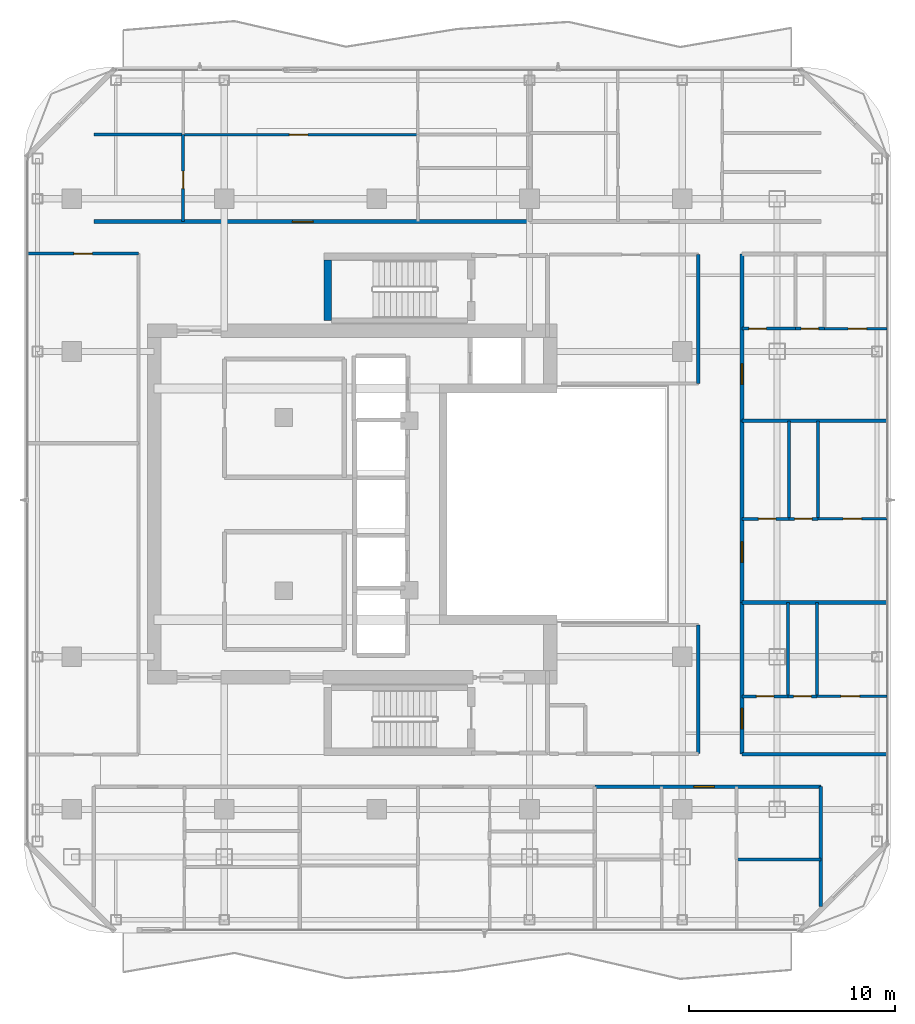
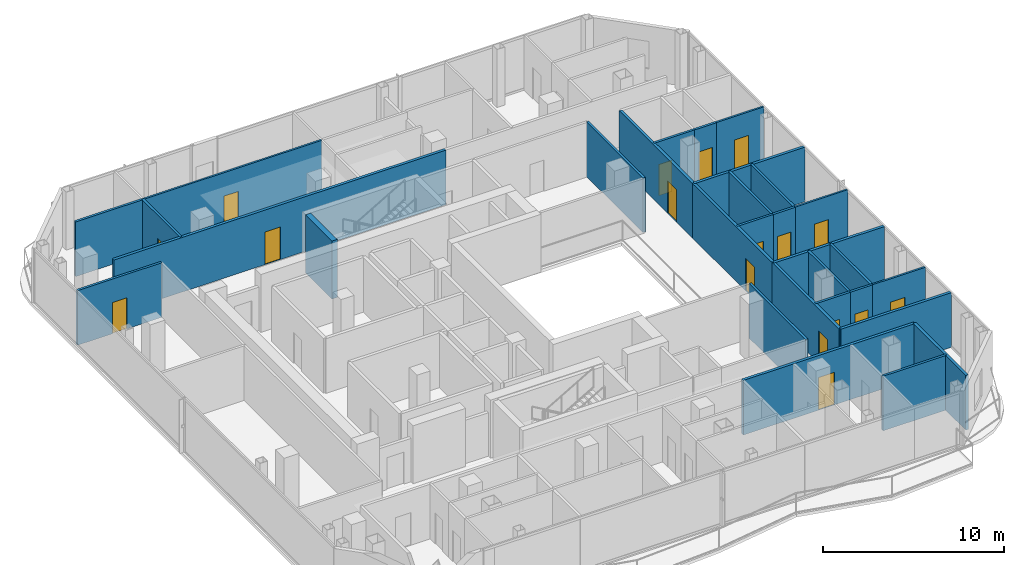
# One storey, part 19 of 26: 30 walls, 17 doors, 17 openings.
"""IFC4 building model written with IfcOpenShell, lengths in metres."""

from ifc_helpers import new_model, si_unit, direction, frame, frame_2d, origin, place, context, subcontext, project, spatial, rectangle, extrude, material, layer, layer_set, type_object, element, fill, save


model = new_model("IFC4")

# Units and contexts
model_context = context("Model", 3, precision=1e-05, world=origin(), true_north=direction((0.0, 1.0)))
body_context = subcontext(model_context, "Body", "Model", "MODEL_VIEW")
ifc_project = project(units=[si_unit("LENGTHUNIT", "METRE"), si_unit("AREAUNIT", "SQUARE_METRE"), si_unit("VOLUMEUNIT", "CUBIC_METRE"), si_unit("PLANEANGLEUNIT", "RADIAN"), si_unit("MASSUNIT", "GRAM", prefix="KILO")], contexts=[model_context])

# Site, building, storey
site_placement = place(None, origin())
site = spatial("IfcSite", under=ifc_project, at=site_placement, CompositionType="ELEMENT")
building_placement = place(site_placement, origin())
building = spatial("IfcBuilding", under=site, at=building_placement, Name="Khorvyn Point Tower", CompositionType="ELEMENT")
storey_placement = place(building_placement, frame((0.0, 0.0, 262.5)))
storey = spatial("IfcBuildingStorey", under=building, at=storey_placement, Name="L64", CompositionType="ELEMENT", Elevation=262.5)

# Wall, opening, door
ifc_material_1 = material(Name="Double acoustic gypsum on twin steel stud", Category="steel")
ifc_layer_1 = layer(ifc_material_1, 0.179931640625)
ifc_layer_set_1 = layer_set([ifc_layer_1], Name="Acoustic Double-Stud Apartment Demising Wall 180")
wall_type_1 = type_object("IfcWallType", Name="Acoustic Double-Stud Apartment Demising Wall 180", PredefinedType="PARTITIONING", material=ifc_layer_set_1)
wall_1_placement = place(storey_placement, frame((-13.719970703125, 13.699951171875, 0.0), z_axis=(0.0, 0.0, 1.0), x_axis=(1.0, 0.0, 0.0)))
wall_1 = element("IfcWall", 1, at=wall_1_placement, inside=storey, type_object=wall_type_1, Name="Wall", PredefinedType="PARTITIONING", context=body_context, shape_type="SweptSolid", body=[
    extrude(rectangle(XDim=21.14404296875, YDim=0.179931640625, at=frame_2d((10.572021484375, 0.0))), origin(), (0.0, 0.0, 1.0), 3.679931640625),
])
opening_1_placement = place(wall_1_placement, frame((9.62548828125, 0.0, 0.0)))
opening_1 = element("IfcOpeningElement", 2, at=opening_1_placement, cuts=wall_1, Name="Opening ID-AP60", PredefinedType="OPENING", context=body_context, shape_type="SweptSolid", body=[
    extrude(rectangle(XDim=1.0, YDim=2.199951171875, at=frame_2d((0.5, 1.10009765625))), frame((0.0, 0.099853515625, 0.0), z_axis=(0.0, -1.0, 0.0), x_axis=(1.0, 0.0, 0.0)), (0.0, 0.0, 1.0), 0.199951171875),
])
ifc_material_2 = material(Name="Engineered hardwood fire-rated leaf", Category="wood")
door_type_1 = type_object("IfcDoorType", Name="Acoustic Solid-Core Timber Apartment Entrance Door 1000x2200", OperationType="NOTDEFINED", PredefinedType="DOOR", material=ifc_material_2)
door_1_placement = place(opening_1_placement, origin())
door_1 = element("IfcDoor", 3, at=door_1_placement, inside=storey, type_object=door_type_1, Name="Door", OperationType="SINGLE_SWING_LEFT", OverallHeight=2.199951171875, OverallWidth=1.0, PredefinedType="DOOR", context=body_context, shape_type="SweptSolid", body=[
    extrude(rectangle(XDim=1.0, YDim=2.199951171875, at=frame_2d((0.5, 1.10009765625))), frame((0.0, 0.02490234375, 0.0), z_axis=(0.0, -1.0, 0.0), x_axis=(1.0, 0.0, 0.0)), (0.0, 0.0, 1.0), 0.050048828125),
])
fill(opening_1, door_1)

wall_2_placement = place(storey_placement, frame((10.56591796875, -13.699951171875, 0.0), z_axis=(0.0, 0.0, 1.0), x_axis=(1.0, 0.0, 0.0)))
wall_2 = element("IfcWall", 4, at=wall_2_placement, inside=storey, type_object=wall_type_1, Name="Wall", PredefinedType="PARTITIONING", context=body_context, shape_type="SweptSolid", body=[
    extrude(rectangle(XDim=10.9541015625, YDim=0.179931640625, at=frame_2d((5.47705078125, 0.0))), origin(), (0.0, 0.0, 1.0), 3.679931640625),
])
opening_2_placement = place(wall_2_placement, frame((4.798583984375, 0.0, 0.0)))
opening_2 = element("IfcOpeningElement", 5, at=opening_2_placement, cuts=wall_2, Name="Opening ID-AP60", PredefinedType="OPENING", context=body_context, shape_type="SweptSolid", body=[
    extrude(rectangle(XDim=1.0, YDim=2.199951171875, at=frame_2d((0.5, 1.10009765625))), frame((0.0, 0.099853515625, 0.0), z_axis=(0.0, -1.0, 0.0), x_axis=(1.0, 0.0, 0.0)), (0.0, 0.0, 1.0), 0.199951171875),
])
door_2_placement = place(opening_2_placement, origin())
door_2 = element("IfcDoor", 6, at=door_2_placement, inside=storey, type_object=door_type_1, Name="Door", OperationType="SINGLE_SWING_RIGHT", OverallHeight=2.199951171875, OverallWidth=1.0, PredefinedType="DOOR", context=body_context, shape_type="SweptSolid", body=[
    extrude(rectangle(XDim=1.0, YDim=2.199951171875, at=frame_2d((0.5, 1.10009765625))), frame((0.0, 0.02490234375, 0.0), z_axis=(0.0, -1.0, 0.0), x_axis=(1.0, 0.0, 0.0)), (0.0, 0.0, 1.0), 0.050048828125),
])
fill(opening_2, door_2)

wall_3_placement = place(storey_placement, frame((17.699951171875, -12.1201171875, 0.0), z_axis=(0.0, 0.0, 1.0), x_axis=(0.0, 1.0, 0.0)))
wall_3 = element("IfcWall", 7, at=wall_3_placement, inside=storey, type_object=wall_type_1, Name="Wall", PredefinedType="PARTITIONING", context=body_context, shape_type="SweptSolid", body=[
    extrude(rectangle(XDim=7.35302734375, YDim=0.179931640625, at=frame_2d((3.676513671875, 0.0))), origin(), (0.0, 0.0, 1.0), 3.679931640625),
])
opening_3_placement = place(wall_3_placement, frame((1.224609375, 0.0, 0.0)))
opening_3 = element("IfcOpeningElement", 8, at=opening_3_placement, cuts=wall_3, Name="Opening ID-AP60", PredefinedType="OPENING", context=body_context, shape_type="SweptSolid", body=[
    extrude(rectangle(XDim=1.0, YDim=2.199951171875, at=frame_2d((0.5, 1.10009765625))), frame((0.0, 0.099853515625, 0.0), z_axis=(0.0, -1.0, 0.0), x_axis=(1.0, 0.0, 0.0)), (0.0, 0.0, 1.0), 0.199951171875),
])
door_3_placement = place(opening_3_placement, origin())
door_3 = element("IfcDoor", 9, at=door_3_placement, inside=storey, type_object=door_type_1, Name="Door", OperationType="SINGLE_SWING_LEFT", OverallHeight=2.199951171875, OverallWidth=1.0, PredefinedType="DOOR", context=body_context, shape_type="SweptSolid", body=[
    extrude(rectangle(XDim=1.0, YDim=2.199951171875, at=frame_2d((0.5, 1.10009765625))), frame((0.0, 0.02490234375, 0.0), z_axis=(0.0, -1.0, 0.0), x_axis=(1.0, 0.0, 0.0)), (0.0, 0.0, 1.0), 0.050048828125),
])
fill(opening_3, door_3)

wall_4_placement = place(storey_placement, frame((17.699951171875, -4.76708984375, 0.0), z_axis=(0.0, 0.0, 1.0), x_axis=(0.0, 1.0, 0.0)))
wall_4 = element("IfcWall", 10, at=wall_4_placement, inside=storey, type_object=wall_type_1, Name="Wall", PredefinedType="PARTITIONING", context=body_context, shape_type="SweptSolid", body=[
    extrude(rectangle(XDim=8.80712890625, YDim=0.179931640625, at=frame_2d((4.403564453125, 0.0))), origin(), (0.0, 0.0, 1.0), 3.679931640625),
])
opening_4_placement = place(wall_4_placement, frame((1.942626953125, 0.0, 0.0)))
opening_4 = element("IfcOpeningElement", 11, at=opening_4_placement, cuts=wall_4, Name="Opening ID-AP60", PredefinedType="OPENING", context=body_context, shape_type="SweptSolid", body=[
    extrude(rectangle(XDim=1.0, YDim=2.199951171875, at=frame_2d((0.5, 1.10009765625))), frame((0.0, 0.099853515625, 0.0), z_axis=(0.0, -1.0, 0.0), x_axis=(1.0, 0.0, 0.0)), (0.0, 0.0, 1.0), 0.199951171875),
])
door_4_placement = place(opening_4_placement, origin())
door_4 = element("IfcDoor", 12, at=door_4_placement, inside=storey, type_object=door_type_1, Name="Door", OperationType="SINGLE_SWING_LEFT", OverallHeight=2.199951171875, OverallWidth=1.0, PredefinedType="DOOR", context=body_context, shape_type="SweptSolid", body=[
    extrude(rectangle(XDim=1.0, YDim=2.199951171875, at=frame_2d((0.5, 1.10009765625))), frame((0.0, 0.02490234375, 0.0), z_axis=(0.0, -1.0, 0.0), x_axis=(1.0, 0.0, 0.0)), (0.0, 0.0, 1.0), 0.050048828125),
])
fill(opening_4, door_4)

wall_5_placement = place(storey_placement, frame((17.699951171875, 4.0400390625, 0.0), z_axis=(0.0, 0.0, 1.0), x_axis=(0.0, 1.0, 0.0)))
wall_5 = element("IfcWall", 13, at=wall_5_placement, inside=storey, type_object=wall_type_1, Name="Wall", PredefinedType="PARTITIONING", context=body_context, shape_type="SweptSolid", body=[
    extrude(rectangle(XDim=8.080078125, YDim=0.179931640625, at=frame_2d((4.0400390625, 0.0))), origin(), (0.0, 0.0, 1.0), 3.679931640625),
])
opening_5_placement = place(wall_5_placement, frame((1.760986328125, 0.0, 0.0)))
opening_5 = element("IfcOpeningElement", 14, at=opening_5_placement, cuts=wall_5, Name="Opening ID-AP60", PredefinedType="OPENING", context=body_context, shape_type="SweptSolid", body=[
    extrude(rectangle(XDim=1.0, YDim=2.199951171875, at=frame_2d((0.5, 1.10009765625))), frame((0.0, 0.099853515625, 0.0), z_axis=(0.0, -1.0, 0.0), x_axis=(1.0, 0.0, 0.0)), (0.0, 0.0, 1.0), 0.199951171875),
])
door_5_placement = place(opening_5_placement, origin())
door_5 = element("IfcDoor", 15, at=door_5_placement, inside=storey, type_object=door_type_1, Name="Door", OperationType="SINGLE_SWING_LEFT", OverallHeight=2.199951171875, OverallWidth=1.0, PredefinedType="DOOR", context=body_context, shape_type="SweptSolid", body=[
    extrude(rectangle(XDim=1.0, YDim=2.199951171875, at=frame_2d((0.5, 1.10009765625))), frame((0.0, 0.02490234375, 0.0), z_axis=(0.0, -1.0, 0.0), x_axis=(1.0, 0.0, 0.0)), (0.0, 0.0, 1.0), 0.050048828125),
])
fill(opening_5, door_5)

# Walls
wall_6_placement = place(storey_placement, frame((21.52001953125, -19.510009765625, 0.0), z_axis=(0.0, 0.0, 1.0), x_axis=(0.0, 1.0, 0.0)))
element("IfcWall", 16, at=wall_6_placement, inside=storey, type_object=wall_type_1, Name="Wall", PredefinedType="PARTITIONING", context=body_context, shape_type="SweptSolid", body=[
    extrude(rectangle(XDim=5.81005859375, YDim=0.179931640625, at=frame_2d((2.905029296875, 0.0))), origin(), (0.0, 0.0, 1.0), 3.679931640625),
])
for number, where, z_axis, x_axis, name in (
    (17, (17.699951171875, -4.76708984375, 0.0), (0.0, 0.0, 1.0), (1.0, 0.0, 0.0), "Wall"),
    (18, (17.699951171875, 4.0400390625, 0.0), (0.0, 0.0, 1.0), (1.0, 0.0, 0.0), "Wall"),
    (19, (17.699951171875, -12.1201171875, 0.0), (0.0, 0.0, 1.0), (1.0, 0.0, 0.0), "Wall"),
):
    element("IfcWall", number, at=place(storey_placement, frame(where, z_axis=z_axis, x_axis=x_axis)), inside=storey, type_object=wall_type_1, Name=name, PredefinedType="PARTITIONING", context=body_context, shape_type="SweptSolid", body=[
        extrude(rectangle(XDim=7.030029296875, YDim=0.179931640625, at=frame_2d((3.51513671875, 0.0))), origin(), (0.0, 0.0, 1.0), 3.679931640625),
    ])
ifc_material_3 = material(Name="Concrete C40/50", Category="concrete")
ifc_layer_2 = layer(ifc_material_3, 0.35009765625)
ifc_layer_set_2 = layer_set([ifc_layer_2], Name="Concrete C40/50 Stair Shaft Structural Wall 350")
wall_type_2 = type_object("IfcWallType", Name="Concrete C40/50 Stair Shaft Structural Wall 350", PredefinedType="SHEAR", material=ifc_layer_set_2)
wall_7_placement = place(storey_placement, frame((-2.3798828125, 8.89990234375, 0.0), z_axis=(0.0, 0.0, 1.0), x_axis=(0.0, 1.0, 0.0)))
element("IfcWall", 20, at=wall_7_placement, inside=storey, type_object=wall_type_2, Name="L64 ST-02 West Shaft Wall", PredefinedType="SHEAR", context=body_context, shape_type="SweptSolid", body=[
    extrude(rectangle(XDim=2.925048828125, YDim=0.35009765625, at=frame_2d((1.46240234375, 0.0))), origin(), (0.0, 0.0, 1.0), 3.89990234375),
])

# Wall, opening, door
ifc_material_4 = material(Name="Gypsum plasterboard on steel stud", Category="steel")
ifc_layer_3 = layer(ifc_material_4, 0.1201171875)
ifc_layer_set_3 = layer_set([ifc_layer_3], Name="Gypsum Acoustic Stud Room Partition Wall 120")
wall_type_3 = type_object("IfcWallType", Name="Gypsum Acoustic Stud Room Partition Wall 120", PredefinedType="PARTITIONING", material=ifc_layer_set_3)
wall_8_placement = place(storey_placement, frame((-9.39501953125, 17.9130859375, 0.0), z_axis=(0.0, 0.0, 1.0), x_axis=(1.0, 0.0, 0.0)))
wall_8 = element("IfcWall", 21, at=wall_8_placement, inside=storey, type_object=wall_type_3, Name="Wall", PredefinedType="PARTITIONING", context=body_context, shape_type="SweptSolid", body=[
    extrude(rectangle(XDim=11.381103515625, YDim=0.1201171875, at=frame_2d((5.6904296875, 0.0))), origin(), (0.0, 0.0, 1.0), 3.679931640625),
])
opening_6_placement = place(wall_8_placement, frame((5.1513671875, 0.0, 0.0)))
opening_6 = element("IfcOpeningElement", 22, at=opening_6_placement, cuts=wall_8, Name="Opening ID-RM90", PredefinedType="OPENING", context=body_context, shape_type="SweptSolid", body=[
    extrude(rectangle(XDim=0.89990234375, YDim=2.10009765625, at=frame_2d((0.449951171875, 1.050048828125))), frame((0.0, 0.070068359375, 0.0), z_axis=(0.0, -1.0, 0.0), x_axis=(1.0, 0.0, 0.0)), (0.0, 0.0, 1.0), 0.14013671875),
])
ifc_material_5 = material(Name="Engineered oak veneer timber", Category="wood")
door_type_2 = type_object("IfcDoorType", Name="Flush Engineered Timber Room Door 900x2100", OperationType="NOTDEFINED", PredefinedType="DOOR", material=ifc_material_5)
door_6_placement = place(opening_6_placement, origin())
door_6 = element("IfcDoor", 23, at=door_6_placement, inside=storey, type_object=door_type_2, Name="Door", OperationType="SINGLE_SWING_RIGHT", OverallHeight=2.10009765625, OverallWidth=0.89990234375, PredefinedType="DOOR", context=body_context, shape_type="SweptSolid", body=[
    extrude(rectangle(XDim=0.89990234375, YDim=2.10009765625, at=frame_2d((0.449951171875, 1.050048828125))), frame((0.0, 0.02490234375, 0.0), z_axis=(0.0, -1.0, 0.0), x_axis=(1.0, 0.0, 0.0)), (0.0, 0.0, 1.0), 0.050048828125),
])
fill(opening_6, door_6)

wall_9_placement = place(storey_placement, frame((21.3330078125, -9.320068359375, 0.0), z_axis=(0.0, 0.0, 1.0), x_axis=(1.0, 0.0, 0.0)))
wall_9 = element("IfcWall", 24, at=wall_9_placement, inside=storey, type_object=wall_type_3, Name="Wall", PredefinedType="PARTITIONING", context=body_context, shape_type="SweptSolid", body=[
    extrude(rectangle(XDim=3.39697265625, YDim=0.1201171875, at=frame_2d((1.698486328125, 0.0))), origin(), (0.0, 0.0, 1.0), 3.679931640625),
])
opening_7_placement = place(wall_9_placement, frame((1.164794921875, 0.0, 0.0)))
opening_7 = element("IfcOpeningElement", 25, at=opening_7_placement, cuts=wall_9, Name="Opening ID-RM90", PredefinedType="OPENING", context=body_context, shape_type="SweptSolid", body=[
    extrude(rectangle(XDim=0.89990234375, YDim=2.10009765625, at=frame_2d((0.449951171875, 1.050048828125))), frame((0.0, 0.070068359375, 0.0), z_axis=(0.0, -1.0, 0.0), x_axis=(1.0, 0.0, 0.0)), (0.0, 0.0, 1.0), 0.14013671875),
])
door_7_placement = place(opening_7_placement, origin())
door_7 = element("IfcDoor", 26, at=door_7_placement, inside=storey, type_object=door_type_2, Name="Door", OperationType="SINGLE_SWING_RIGHT", OverallHeight=2.10009765625, OverallWidth=0.89990234375, PredefinedType="DOOR", context=body_context, shape_type="SweptSolid", body=[
    extrude(rectangle(XDim=0.89990234375, YDim=2.10009765625, at=frame_2d((0.449951171875, 1.050048828125))), frame((0.0, 0.02490234375, 0.0), z_axis=(0.0, -1.0, 0.0), x_axis=(1.0, 0.0, 0.0)), (0.0, 0.0, 1.0), 0.050048828125),
])
fill(opening_7, door_7)

wall_10_placement = place(storey_placement, frame((21.376953125, -0.716064453125, 0.0), z_axis=(0.0, 0.0, 1.0), x_axis=(1.0, 0.0, 0.0)))
wall_10 = element("IfcWall", 27, at=wall_10_placement, inside=storey, type_object=wall_type_3, Name="Wall", PredefinedType="PARTITIONING", context=body_context, shape_type="SweptSolid", body=[
    extrude(rectangle(XDim=3.35302734375, YDim=0.1201171875, at=frame_2d((1.676513671875, 0.0))), origin(), (0.0, 0.0, 1.0), 3.679931640625),
])
opening_8_placement = place(wall_10_placement, frame((1.2265625, 0.0, 0.0)))
opening_8 = element("IfcOpeningElement", 28, at=opening_8_placement, cuts=wall_10, Name="Opening ID-RM90", PredefinedType="OPENING", context=body_context, shape_type="SweptSolid", body=[
    extrude(rectangle(XDim=0.89990234375, YDim=2.10009765625, at=frame_2d((0.449951171875, 1.050048828125))), frame((0.0, 0.070068359375, 0.0), z_axis=(0.0, -1.0, 0.0), x_axis=(1.0, 0.0, 0.0)), (0.0, 0.0, 1.0), 0.14013671875),
])
door_8_placement = place(opening_8_placement, origin())
door_8 = element("IfcDoor", 29, at=door_8_placement, inside=storey, type_object=door_type_2, Name="Door", OperationType="SINGLE_SWING_RIGHT", OverallHeight=2.10009765625, OverallWidth=0.89990234375, PredefinedType="DOOR", context=body_context, shape_type="SweptSolid", body=[
    extrude(rectangle(XDim=0.89990234375, YDim=2.10009765625, at=frame_2d((0.449951171875, 1.050048828125))), frame((0.0, 0.02490234375, 0.0), z_axis=(0.0, -1.0, 0.0), x_axis=(1.0, 0.0, 0.0)), (0.0, 0.0, 1.0), 0.050048828125),
])
fill(opening_8, door_8)

wall_11_placement = place(storey_placement, frame((21.68994140625, 8.5048828125, 0.0), z_axis=(0.0, 0.0, 1.0), x_axis=(1.0, 0.0, 0.0)))
wall_11 = element("IfcWall", 30, at=wall_11_placement, inside=storey, type_object=wall_type_3, Name="Wall", PredefinedType="PARTITIONING", context=body_context, shape_type="SweptSolid", body=[
    extrude(rectangle(XDim=3.0400390625, YDim=0.1201171875, at=frame_2d((1.52001953125, 0.0))), origin(), (0.0, 0.0, 1.0), 3.679931640625),
])
opening_9_placement = place(wall_11_placement, frame((1.152587890625, 0.0, 0.0)))
opening_9 = element("IfcOpeningElement", 31, at=opening_9_placement, cuts=wall_11, Name="Opening ID-RM90", PredefinedType="OPENING", context=body_context, shape_type="SweptSolid", body=[
    extrude(rectangle(XDim=0.89990234375, YDim=2.10009765625, at=frame_2d((0.449951171875, 1.050048828125))), frame((0.0, 0.070068359375, 0.0), z_axis=(0.0, -1.0, 0.0), x_axis=(1.0, 0.0, 0.0)), (0.0, 0.0, 1.0), 0.14013671875),
])
door_9_placement = place(opening_9_placement, origin())
door_9 = element("IfcDoor", 32, at=door_9_placement, inside=storey, type_object=door_type_2, Name="Door", OperationType="SINGLE_SWING_RIGHT", OverallHeight=2.10009765625, OverallWidth=0.89990234375, PredefinedType="DOOR", context=body_context, shape_type="SweptSolid", body=[
    extrude(rectangle(XDim=0.89990234375, YDim=2.10009765625, at=frame_2d((0.449951171875, 1.050048828125))), frame((0.0, 0.02490234375, 0.0), z_axis=(0.0, -1.0, 0.0), x_axis=(1.0, 0.0, 0.0)), (0.0, 0.0, 1.0), 0.050048828125),
])
fill(opening_9, door_9)

ifc_material_6 = material(Name="Moisture-resistant gypsum and cement board", Category="gypsum")
ifc_layer_4 = layer(ifc_material_6, 0.14990234375)
ifc_layer_set_4 = layer_set([ifc_layer_4], Name="Moisture-Resistant Wet-Room Partition Wall 150")
wall_type_4 = type_object("IfcWallType", Name="Moisture-Resistant Wet-Room Partition Wall 150", PredefinedType="PARTITIONING", material=ifc_layer_set_4)
wall_12_placement = place(storey_placement, frame((-9.39501953125, 13.699951171875, 0.0), z_axis=(0.0, 0.0, 1.0), x_axis=(0.0, 1.0, 0.0)))
wall_12 = element("IfcWall", 33, at=wall_12_placement, inside=storey, type_object=wall_type_4, Name="Wall", PredefinedType="PARTITIONING", context=body_context, shape_type="SweptSolid", body=[
    extrude(rectangle(XDim=4.213134765625, YDim=0.14990234375, at=frame_2d((2.1064453125, 0.0))), origin(), (0.0, 0.0, 1.0), 3.679931640625),
])
opening_10_placement = place(wall_12_placement, frame((1.592041015625, 0.0, 0.0)))
opening_10 = element("IfcOpeningElement", 34, at=opening_10_placement, cuts=wall_12, Name="Opening ID-WC85", PredefinedType="OPENING", context=body_context, shape_type="SweptSolid", body=[
    extrude(rectangle(XDim=0.85009765625, YDim=2.10009765625, at=frame_2d((0.425048828125, 1.050048828125))), frame((0.0, 0.0849609375, 0.0), z_axis=(0.0, -1.0, 0.0), x_axis=(1.0, 0.0, 0.0)), (0.0, 0.0, 1.0), 0.169921875),
])
ifc_material_7 = material(Name="High-pressure laminate on moisture-resistant core", Category="wood")
door_type_3 = type_object("IfcDoorType", Name="Moisture-Resistant Accessible Washroom Door 850x2100", OperationType="NOTDEFINED", PredefinedType="DOOR", material=ifc_material_7)
door_10_placement = place(opening_10_placement, origin())
door_10 = element("IfcDoor", 35, at=door_10_placement, inside=storey, type_object=door_type_3, Name="Door", OperationType="SINGLE_SWING_LEFT", OverallHeight=2.10009765625, OverallWidth=0.85009765625, PredefinedType="DOOR", context=body_context, shape_type="SweptSolid", body=[
    extrude(rectangle(XDim=0.85009765625, YDim=2.10009765625, at=frame_2d((0.425048828125, 1.050048828125))), frame((0.0, 0.02490234375, 0.0), z_axis=(0.0, -1.0, 0.0), x_axis=(1.0, 0.0, 0.0)), (0.0, 0.0, 1.0), 0.050048828125),
])
fill(opening_10, door_10)

wall_13_placement = place(storey_placement, frame((-16.929931640625, 12.139892578125, 0.0), z_axis=(0.0, 0.0, 1.0), x_axis=(1.0, 0.0, 0.0)))
wall_13 = element("IfcWall", 36, at=wall_13_placement, inside=storey, type_object=wall_type_4, Name="Wall", PredefinedType="PARTITIONING", context=body_context, shape_type="SweptSolid", body=[
    extrude(rectangle(XDim=5.3798828125, YDim=0.14990234375, at=frame_2d((2.68994140625, 0.0))), origin(), (0.0, 0.0, 1.0), 3.679931640625),
])
opening_11_placement = place(wall_13_placement, frame((2.239990234375, 0.0, 0.0)))
opening_11 = element("IfcOpeningElement", 37, at=opening_11_placement, cuts=wall_13, Name="Opening ID-RM90", PredefinedType="OPENING", context=body_context, shape_type="SweptSolid", body=[
    extrude(rectangle(XDim=0.89990234375, YDim=2.10009765625, at=frame_2d((0.449951171875, 1.050048828125))), frame((0.0, 0.0849609375, 0.0), z_axis=(0.0, -1.0, 0.0), x_axis=(1.0, 0.0, 0.0)), (0.0, 0.0, 1.0), 0.169921875),
])
door_11_placement = place(opening_11_placement, origin())
door_11 = element("IfcDoor", 38, at=door_11_placement, inside=storey, type_object=door_type_2, Name="Door", OperationType="SINGLE_SWING_RIGHT", OverallHeight=2.10009765625, OverallWidth=0.89990234375, PredefinedType="DOOR", context=body_context, shape_type="SweptSolid", body=[
    extrude(rectangle(XDim=0.89990234375, YDim=2.10009765625, at=frame_2d((0.449951171875, 1.050048828125))), frame((0.0, 0.02490234375, 0.0), z_axis=(0.0, -1.0, 0.0), x_axis=(1.0, 0.0, 0.0)), (0.0, 0.0, 1.0), 0.050048828125),
])
fill(opening_11, door_11)

wall_14_placement = place(storey_placement, frame((17.699951171875, -9.320068359375, 0.0), z_axis=(0.0, 0.0, 1.0), x_axis=(1.0, 0.0, 0.0)))
wall_14 = element("IfcWall", 39, at=wall_14_placement, inside=storey, type_object=wall_type_4, Name="Wall", PredefinedType="PARTITIONING", context=body_context, shape_type="SweptSolid", body=[
    extrude(rectangle(XDim=2.233154296875, YDim=0.14990234375, at=frame_2d((1.11669921875, 0.0))), origin(), (0.0, 0.0, 1.0), 3.679931640625),
])
opening_12_placement = place(wall_14_placement, frame((0.69140625, 0.0, 0.0)))
opening_12 = element("IfcOpeningElement", 40, at=opening_12_placement, cuts=wall_14, Name="Opening ID-WC85", PredefinedType="OPENING", context=body_context, shape_type="SweptSolid", body=[
    extrude(rectangle(XDim=0.85009765625, YDim=2.10009765625, at=frame_2d((0.425048828125, 1.050048828125))), frame((0.0, 0.0849609375, 0.0), z_axis=(0.0, -1.0, 0.0), x_axis=(1.0, 0.0, 0.0)), (0.0, 0.0, 1.0), 0.169921875),
])
door_12_placement = place(opening_12_placement, origin())
door_12 = element("IfcDoor", 41, at=door_12_placement, inside=storey, type_object=door_type_3, Name="Door", OperationType="SINGLE_SWING_RIGHT", OverallHeight=2.10009765625, OverallWidth=0.85009765625, PredefinedType="DOOR", context=body_context, shape_type="SweptSolid", body=[
    extrude(rectangle(XDim=0.85009765625, YDim=2.10009765625, at=frame_2d((0.425048828125, 1.050048828125))), frame((0.0, 0.02490234375, 0.0), z_axis=(0.0, -1.0, 0.0), x_axis=(1.0, 0.0, 0.0)), (0.0, 0.0, 1.0), 0.050048828125),
])
fill(opening_12, door_12)

wall_15_placement = place(storey_placement, frame((19.93310546875, -9.320068359375, 0.0), z_axis=(0.0, 0.0, 1.0), x_axis=(1.0, 0.0, 0.0)))
wall_15 = element("IfcWall", 42, at=wall_15_placement, inside=storey, type_object=wall_type_4, Name="Wall", PredefinedType="PARTITIONING", context=body_context, shape_type="SweptSolid", body=[
    extrude(rectangle(XDim=1.39990234375, YDim=0.14990234375, at=frame_2d((0.699951171875, 0.0))), origin(), (0.0, 0.0, 1.0), 3.679931640625),
])
opening_13_placement = place(wall_15_placement, frame((0.27490234375, 0.0, 0.0)))
opening_13 = element("IfcOpeningElement", 43, at=opening_13_placement, cuts=wall_15, Name="Opening ID-WC85", PredefinedType="OPENING", context=body_context, shape_type="SweptSolid", body=[
    extrude(rectangle(XDim=0.85009765625, YDim=2.10009765625, at=frame_2d((0.425048828125, 1.050048828125))), frame((0.0, 0.0849609375, 0.0), z_axis=(0.0, -1.0, 0.0), x_axis=(1.0, 0.0, 0.0)), (0.0, 0.0, 1.0), 0.169921875),
])
door_13_placement = place(opening_13_placement, origin())
door_13 = element("IfcDoor", 44, at=door_13_placement, inside=storey, type_object=door_type_3, Name="Door", OperationType="SINGLE_SWING_LEFT", OverallHeight=2.10009765625, OverallWidth=0.85009765625, PredefinedType="DOOR", context=body_context, shape_type="SweptSolid", body=[
    extrude(rectangle(XDim=0.85009765625, YDim=2.10009765625, at=frame_2d((0.425048828125, 1.050048828125))), frame((0.0, 0.02490234375, 0.0), z_axis=(0.0, -1.0, 0.0), x_axis=(1.0, 0.0, 0.0)), (0.0, 0.0, 1.0), 0.050048828125),
])
fill(opening_13, door_13)

wall_16_placement = place(storey_placement, frame((17.699951171875, -0.716064453125, 0.0), z_axis=(0.0, 0.0, 1.0), x_axis=(1.0, 0.0, 0.0)))
wall_16 = element("IfcWall", 45, at=wall_16_placement, inside=storey, type_object=wall_type_4, Name="Wall", PredefinedType="PARTITIONING", context=body_context, shape_type="SweptSolid", body=[
    extrude(rectangle(XDim=2.277099609375, YDim=0.14990234375, at=frame_2d((1.138671875, 0.0))), origin(), (0.0, 0.0, 1.0), 3.679931640625),
])
opening_14_placement = place(wall_16_placement, frame((0.79248046875, 0.0, 0.0)))
opening_14 = element("IfcOpeningElement", 46, at=opening_14_placement, cuts=wall_16, Name="Opening ID-WC85", PredefinedType="OPENING", context=body_context, shape_type="SweptSolid", body=[
    extrude(rectangle(XDim=0.85009765625, YDim=2.10009765625, at=frame_2d((0.425048828125, 1.050048828125))), frame((0.0, 0.0849609375, 0.0), z_axis=(0.0, -1.0, 0.0), x_axis=(1.0, 0.0, 0.0)), (0.0, 0.0, 1.0), 0.169921875),
])
door_14_placement = place(opening_14_placement, origin())
door_14 = element("IfcDoor", 47, at=door_14_placement, inside=storey, type_object=door_type_3, Name="Door", OperationType="SINGLE_SWING_RIGHT", OverallHeight=2.10009765625, OverallWidth=0.85009765625, PredefinedType="DOOR", context=body_context, shape_type="SweptSolid", body=[
    extrude(rectangle(XDim=0.85009765625, YDim=2.10009765625, at=frame_2d((0.425048828125, 1.050048828125))), frame((0.0, 0.02490234375, 0.0), z_axis=(0.0, -1.0, 0.0), x_axis=(1.0, 0.0, 0.0)), (0.0, 0.0, 1.0), 0.050048828125),
])
fill(opening_14, door_14)

wall_17_placement = place(storey_placement, frame((19.97705078125, -0.716064453125, 0.0), z_axis=(0.0, 0.0, 1.0), x_axis=(1.0, 0.0, 0.0)))
wall_17 = element("IfcWall", 48, at=wall_17_placement, inside=storey, type_object=wall_type_4, Name="Wall", PredefinedType="PARTITIONING", context=body_context, shape_type="SweptSolid", body=[
    extrude(rectangle(XDim=1.39990234375, YDim=0.14990234375, at=frame_2d((0.699951171875, 0.0))), origin(), (0.0, 0.0, 1.0), 3.679931640625),
])
opening_15_placement = place(wall_17_placement, frame((0.27490234375, 0.0, 0.0)))
opening_15 = element("IfcOpeningElement", 49, at=opening_15_placement, cuts=wall_17, Name="Opening ID-WC85", PredefinedType="OPENING", context=body_context, shape_type="SweptSolid", body=[
    extrude(rectangle(XDim=0.85009765625, YDim=2.10009765625, at=frame_2d((0.425048828125, 1.050048828125))), frame((0.0, 0.0849609375, 0.0), z_axis=(0.0, -1.0, 0.0), x_axis=(1.0, 0.0, 0.0)), (0.0, 0.0, 1.0), 0.169921875),
])
door_15_placement = place(opening_15_placement, origin())
door_15 = element("IfcDoor", 50, at=door_15_placement, inside=storey, type_object=door_type_3, Name="Door", OperationType="SINGLE_SWING_LEFT", OverallHeight=2.10009765625, OverallWidth=0.85009765625, PredefinedType="DOOR", context=body_context, shape_type="SweptSolid", body=[
    extrude(rectangle(XDim=0.85009765625, YDim=2.10009765625, at=frame_2d((0.425048828125, 1.050048828125))), frame((0.0, 0.02490234375, 0.0), z_axis=(0.0, -1.0, 0.0), x_axis=(1.0, 0.0, 0.0)), (0.0, 0.0, 1.0), 0.050048828125),
])
fill(opening_15, door_15)

wall_18_placement = place(storey_placement, frame((17.699951171875, 8.5048828125, 0.0), z_axis=(0.0, 0.0, 1.0), x_axis=(1.0, 0.0, 0.0)))
wall_18 = element("IfcWall", 51, at=wall_18_placement, inside=storey, type_object=wall_type_4, Name="Wall", PredefinedType="PARTITIONING", context=body_context, shape_type="SweptSolid", body=[
    extrude(rectangle(XDim=2.590087890625, YDim=0.14990234375, at=frame_2d((1.294921875, 0.0))), origin(), (0.0, 0.0, 1.0), 3.679931640625),
])
opening_16_placement = place(wall_18_placement, frame((0.33740234375, 0.0, 0.0)))
opening_16 = element("IfcOpeningElement", 52, at=opening_16_placement, cuts=wall_18, Name="Opening ID-WC85", PredefinedType="OPENING", context=body_context, shape_type="SweptSolid", body=[
    extrude(rectangle(XDim=0.85009765625, YDim=2.10009765625, at=frame_2d((0.425048828125, 1.050048828125))), frame((0.0, 0.0849609375, 0.0), z_axis=(0.0, -1.0, 0.0), x_axis=(1.0, 0.0, 0.0)), (0.0, 0.0, 1.0), 0.169921875),
])
door_16_placement = place(opening_16_placement, origin())
door_16 = element("IfcDoor", 53, at=door_16_placement, inside=storey, type_object=door_type_3, Name="Door", OperationType="SINGLE_SWING_RIGHT", OverallHeight=2.10009765625, OverallWidth=0.85009765625, PredefinedType="DOOR", context=body_context, shape_type="SweptSolid", body=[
    extrude(rectangle(XDim=0.85009765625, YDim=2.10009765625, at=frame_2d((0.425048828125, 1.050048828125))), frame((0.0, 0.02490234375, 0.0), z_axis=(0.0, -1.0, 0.0), x_axis=(1.0, 0.0, 0.0)), (0.0, 0.0, 1.0), 0.050048828125),
])
fill(opening_16, door_16)

wall_19_placement = place(storey_placement, frame((20.2900390625, 8.5048828125, 0.0), z_axis=(0.0, 0.0, 1.0), x_axis=(1.0, 0.0, 0.0)))
wall_19 = element("IfcWall", 54, at=wall_19_placement, inside=storey, type_object=wall_type_4, Name="Wall", PredefinedType="PARTITIONING", context=body_context, shape_type="SweptSolid", body=[
    extrude(rectangle(XDim=1.39990234375, YDim=0.14990234375, at=frame_2d((0.699951171875, 0.0))), origin(), (0.0, 0.0, 1.0), 3.679931640625),
])
opening_17_placement = place(wall_19_placement, frame((0.27490234375, 0.0, 0.0)))
opening_17 = element("IfcOpeningElement", 55, at=opening_17_placement, cuts=wall_19, Name="Opening ID-WC85", PredefinedType="OPENING", context=body_context, shape_type="SweptSolid", body=[
    extrude(rectangle(XDim=0.85009765625, YDim=2.10009765625, at=frame_2d((0.425048828125, 1.050048828125))), frame((0.0, 0.0849609375, 0.0), z_axis=(0.0, -1.0, 0.0), x_axis=(1.0, 0.0, 0.0)), (0.0, 0.0, 1.0), 0.169921875),
])
door_17_placement = place(opening_17_placement, origin())
door_17 = element("IfcDoor", 56, at=door_17_placement, inside=storey, type_object=door_type_3, Name="Door", OperationType="SINGLE_SWING_LEFT", OverallHeight=2.10009765625, OverallWidth=0.85009765625, PredefinedType="DOOR", context=body_context, shape_type="SweptSolid", body=[
    extrude(rectangle(XDim=0.85009765625, YDim=2.10009765625, at=frame_2d((0.425048828125, 1.050048828125))), frame((0.0, 0.02490234375, 0.0), z_axis=(0.0, -1.0, 0.0), x_axis=(1.0, 0.0, 0.0)), (0.0, 0.0, 1.0), 0.050048828125),
])
fill(opening_17, door_17)

# Walls
for number, where, z_axis, x_axis, name in (
    (57, (15.580078125, -12.10009765625, 0.0), (0.0, 0.0, 1.0), (0.0, 1.0, 0.0), "Wall"),
    (58, (15.580078125, 5.85009765625, 0.0), (0.0, 0.0, 1.0), (0.0, 1.0, 0.0), "Wall"),
):
    element("IfcWall", number, at=place(storey_placement, frame(where, z_axis=z_axis, x_axis=x_axis)), inside=storey, type_object=wall_type_4, Name=name, PredefinedType="PARTITIONING", context=body_context, shape_type="SweptSolid", body=[
        extrude(rectangle(XDim=6.25, YDim=0.14990234375, at=frame_2d((3.125, 0.0))), origin(), (0.0, 0.0, 1.0), 3.679931640625),
    ])
wall_20_placement = place(storey_placement, frame((-13.719970703125, 17.9130859375, 0.0), z_axis=(0.0, 0.0, 1.0), x_axis=(1.0, 0.0, 0.0)))
element("IfcWall", 59, at=wall_20_placement, inside=storey, type_object=wall_type_4, Name="Wall", PredefinedType="PARTITIONING", context=body_context, shape_type="SweptSolid", body=[
    extrude(rectangle(XDim=4.324951171875, YDim=0.14990234375, at=frame_2d((2.16259765625, 0.0))), origin(), (0.0, 0.0, 1.0), 3.679931640625),
])
wall_21_placement = place(storey_placement, frame((17.443115234375, -17.218994140625, 0.0), z_axis=(0.0, 0.0, 1.0), x_axis=(1.0, 0.0, 0.0)))
element("IfcWall", 60, at=wall_21_placement, inside=storey, type_object=wall_type_4, Name="Wall", PredefinedType="PARTITIONING", context=body_context, shape_type="SweptSolid", body=[
    extrude(rectangle(XDim=4.076904296875, YDim=0.14990234375, at=frame_2d((2.03857421875, 0.0))), origin(), (0.0, 0.0, 1.0), 3.679931640625),
])
for number, where, z_axis, x_axis, name in (
    (61, (19.93310546875, -9.320068359375, 0.0), (0.0, 0.0, 1.0), (0.0, 1.0, 0.0), "Wall"),
    (62, (21.3330078125, -9.320068359375, 0.0), (0.0, 0.0, 1.0), (0.0, 1.0, 0.0), "Wall"),
):
    element("IfcWall", number, at=place(storey_placement, frame(where, z_axis=z_axis, x_axis=x_axis)), inside=storey, type_object=wall_type_4, Name=name, PredefinedType="PARTITIONING", context=body_context, shape_type="SweptSolid", body=[
        extrude(rectangle(XDim=4.552978515625, YDim=0.14990234375, at=frame_2d((2.2763671875, 0.0))), origin(), (0.0, 0.0, 1.0), 3.679931640625),
    ])
for number, where, z_axis, x_axis, name in (
    (63, (19.97705078125, -0.716064453125, 0.0), (0.0, 0.0, 1.0), (0.0, 1.0, 0.0), "Wall"),
    (64, (21.376953125, -0.716064453125, 0.0), (0.0, 0.0, 1.0), (0.0, 1.0, 0.0), "Wall"),
):
    element("IfcWall", number, at=place(storey_placement, frame(where, z_axis=z_axis, x_axis=x_axis)), inside=storey, type_object=wall_type_4, Name=name, PredefinedType="PARTITIONING", context=body_context, shape_type="SweptSolid", body=[
        extrude(rectangle(XDim=4.756103515625, YDim=0.14990234375, at=frame_2d((2.3779296875, 0.0))), origin(), (0.0, 0.0, 1.0), 3.679931640625),
    ])

save(model, "model.ifc")
